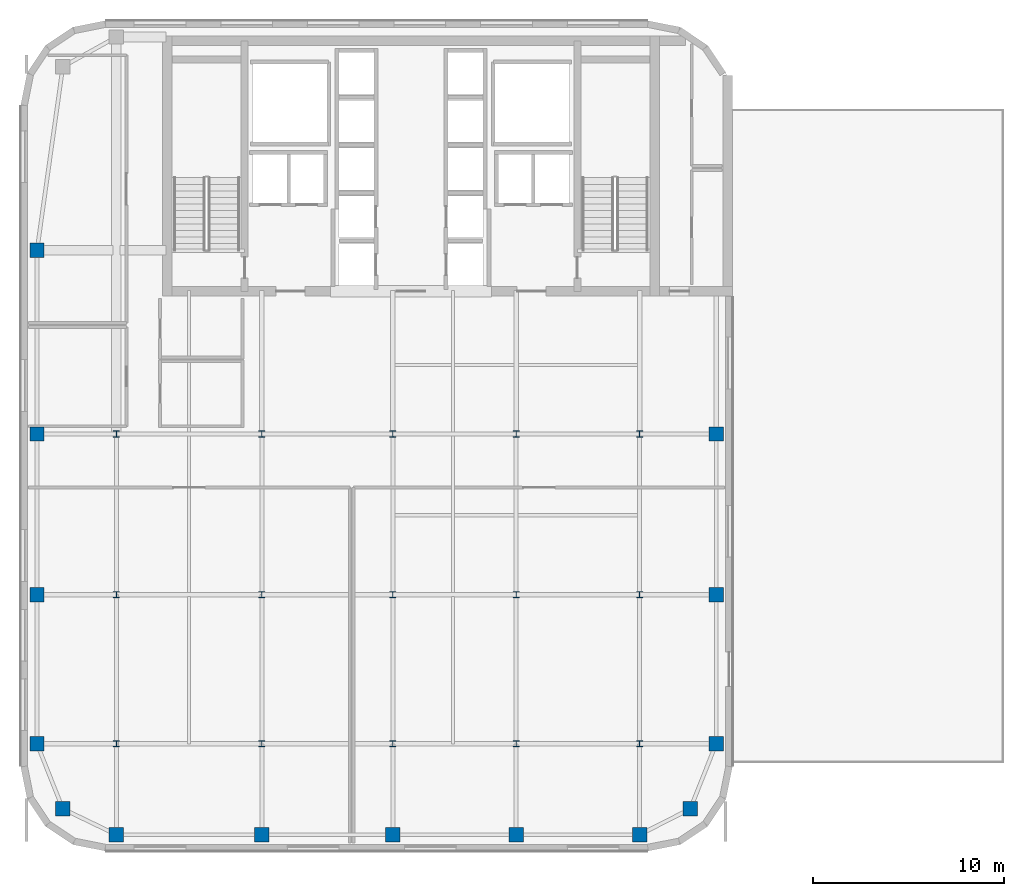
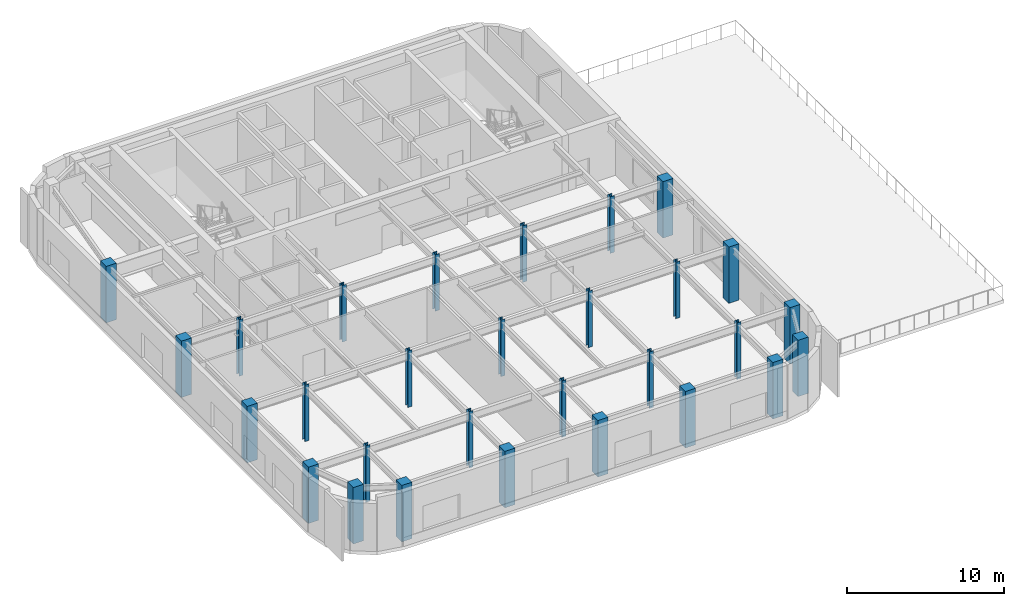
# One storey, part 1 of 10: 29 columns.
"""IFC4 building model written with IfcOpenShell, lengths in metres."""

from ifc_helpers import new_model, si_unit, direction, frame, origin, origin_2d, place, context, subcontext, project, spatial, rectangle, i_section, extrude, source, transform, mapped, material, material_profile, profile_set, type_object, type_shapes, element, save


model = new_model("IFC4")

# Units and contexts
model_context = context("Model", 3, precision=1e-05, world=origin(), true_north=direction((0.0, 1.0)))
body_context = subcontext(model_context, "Body", "Model", "MODEL_VIEW")
ifc_project = project(units=[si_unit("LENGTHUNIT", "METRE"), si_unit("AREAUNIT", "SQUARE_METRE"), si_unit("VOLUMEUNIT", "CUBIC_METRE"), si_unit("PLANEANGLEUNIT", "RADIAN"), si_unit("MASSUNIT", "GRAM", prefix="KILO")], contexts=[model_context])

# Site, building, storey
site_placement = place(None, origin())
site = spatial("IfcSite", under=ifc_project, at=site_placement, CompositionType="ELEMENT")
building_placement = place(site_placement, origin())
building = spatial("IfcBuilding", under=site, at=building_placement, Name="Tolvann Quenvar Hotel", CompositionType="ELEMENT")
storey_placement = place(building_placement, frame((0.0, 0.0, 205.300048828125)))
storey = spatial("IfcBuildingStorey", under=building, at=storey_placement, Name="L54", CompositionType="ELEMENT", Elevation=205.300048828125)

# Columns
ifc_material_1 = material(Name="Concrete N50 (50 MPa)", Category="concrete")
ifc_material_profile_1 = material_profile(ifc_material_1, rectangle(XDim=0.75, YDim=0.75, at=origin_2d()), Name="RC750x750")
ifc_profile_set_1 = profile_set([ifc_material_profile_1], Name="Concrete N50 (50 MPa)")
column_type_1 = type_object("IfcColumnType", Name="COL_RC750", PredefinedType="COLUMN", material=ifc_profile_set_1)
shared_shape_1 = source(origin(), body_context, "Body", "SweptSolid", [
    extrude(rectangle(XDim=0.75, YDim=0.75, at=origin_2d()), origin(), (0.0, 0.0, 1.0), 4.39990234375),
])
type_shapes(column_type_1, [shared_shape_1])
for number, where, z_axis, x_axis, name in (
    (1, (4.800048828125, 4.800048828125, 0.0), (0.0, 0.0, 1.0), (1.0, 0.0, 0.0), "Column B2 (L54)"),
    (2, (3.449951171875, 8.199951171875, 0.0), (0.0, 0.0, 1.0), (1.0, 0.0, 0.0), "Column B3 (L54)"),
    (3, (3.449951171875, 16.0, 0.0), (0.0, 0.0, 1.0), (1.0, 0.0, 0.0), "Column B4 (L54)"),
    (4, (3.449951171875, 24.39990234375, 0.0), (0.0, 0.0, 1.0), (1.0, 0.0, 0.0), "Column B5 (L54)"),
    (5, (7.60009765625, 3.449951171875, 0.0), (0.0, 0.0, 1.0), (1.0, 0.0, 0.0), "Column C2 (L54)"),
    (6, (15.199951171875, 3.449951171875, 0.0), (0.0, 0.0, 1.0), (1.0, 0.0, 0.0), "Column D2 (L54)"),
    (7, (22.050048828125, 3.449951171875, 0.0), (0.0, 0.0, 1.0), (1.0, 0.0, 0.0), "Column E2 (L54)"),
    (8, (28.5, 3.449951171875, 0.0), (0.0, 0.0, 1.0), (1.0, 0.0, 0.0), "Column M2 (L54)"),
    (9, (34.949951171875, 3.449951171875, 0.0), (0.0, 0.0, 1.0), (1.0, 0.0, 0.0), "Column F2 (L54)"),
    (10, (37.60009765625, 4.800048828125, 0.0), (0.0, 0.0, 1.0), (1.0, 0.0, 0.0), "Column G2 (L54)"),
    (11, (38.949951171875, 8.199951171875, 0.0), (0.0, 0.0, 1.0), (1.0, 0.0, 0.0), "Column G3 (L54)"),
    (12, (38.949951171875, 16.0, 0.0), (0.0, 0.0, 1.0), (1.0, 0.0, 0.0), "Column G4 (L54)"),
    (13, (38.949951171875, 24.39990234375, 0.0), (0.0, 0.0, 1.0), (1.0, 0.0, 0.0), "Column G5 (L54)"),
    (14, (3.449951171875, 34.0, 0.0), (0.0, 0.0, 1.0), (1.0, 0.0, 0.0), "Column BD6 (L54)"),
):
    element("IfcColumn", number, at=place(storey_placement, frame(where, z_axis=z_axis, x_axis=x_axis)), inside=storey, type_object=column_type_1, Name=name, PredefinedType="COLUMN", context=body_context, shape_type="MappedRepresentation", body=[
        mapped(shared_shape_1, transform((0.0, 0.0, 0.0), x_axis=(1.0, 0.0, 0.0), y_axis=(0.0, 1.0, 0.0), z_axis=(0.0, 0.0, 1.0), scale=1.0)),
    ])
ifc_material_2 = material(Name="Steel Grade 350", Category="steel")
ifc_material_profile_2 = material_profile(ifc_material_2, i_section(OverallWidth=0.31103515625, OverallDepth=0.326904296875, WebThickness=0.015625, FlangeThickness=0.02490234375, FilletRadius=0.0166015625, at=origin_2d()), Name="310UC158")
ifc_profile_set_2 = profile_set([ifc_material_profile_2], Name="Steel Grade 350")
column_type_2 = type_object("IfcColumnType", Name="COL_310UC158", PredefinedType="COLUMN", material=ifc_profile_set_2)
shared_shape_2 = source(origin(), body_context, "Body", "SweptSolid", [
    extrude(i_section(OverallWidth=0.31103515625, OverallDepth=0.326904296875, WebThickness=0.015625, FlangeThickness=0.02490234375, FilletRadius=0.0166015625, at=origin_2d()), origin(), (0.0, 0.0, 1.0), 4.39990234375),
])
type_shapes(column_type_2, [shared_shape_2])
for number, where, z_axis, x_axis, name in (
    (15, (7.60009765625, 8.199951171875, 0.0), (0.0, 0.0, 1.0), (1.0, 0.0, 0.0), "Column C3 (L54)"),
    (16, (7.60009765625, 16.0, 0.0), (0.0, 0.0, 1.0), (1.0, 0.0, 0.0), "Column C4 (L54)"),
    (17, (7.60009765625, 24.39990234375, 0.0), (0.0, 0.0, 1.0), (1.0, 0.0, 0.0), "Column C5 (L54)"),
    (18, (15.199951171875, 8.199951171875, 0.0), (0.0, 0.0, 1.0), (1.0, 0.0, 0.0), "Column D3 (L54)"),
    (19, (15.199951171875, 16.0, 0.0), (0.0, 0.0, 1.0), (1.0, 0.0, 0.0), "Column D4 (L54)"),
    (20, (15.199951171875, 24.39990234375, 0.0), (0.0, 0.0, 1.0), (1.0, 0.0, 0.0), "Column D5 (L54)"),
    (21, (22.050048828125, 8.199951171875, 0.0), (0.0, 0.0, 1.0), (1.0, 0.0, 0.0), "Column E3 (L54)"),
    (22, (22.050048828125, 16.0, 0.0), (0.0, 0.0, 1.0), (1.0, 0.0, 0.0), "Column E4 (L54)"),
    (23, (22.050048828125, 24.39990234375, 0.0), (0.0, 0.0, 1.0), (1.0, 0.0, 0.0), "Column E5 (L54)"),
    (24, (28.5, 8.199951171875, 0.0), (0.0, 0.0, 1.0), (1.0, 0.0, 0.0), "Column M3 (L54)"),
    (25, (28.5, 16.0, 0.0), (0.0, 0.0, 1.0), (1.0, 0.0, 0.0), "Column M4 (L54)"),
    (26, (28.5, 24.39990234375, 0.0), (0.0, 0.0, 1.0), (1.0, 0.0, 0.0), "Column M5 (L54)"),
    (27, (34.949951171875, 8.199951171875, 0.0), (0.0, 0.0, 1.0), (1.0, 0.0, 0.0), "Column F3 (L54)"),
    (28, (34.949951171875, 16.0, 0.0), (0.0, 0.0, 1.0), (1.0, 0.0, 0.0), "Column F4 (L54)"),
    (29, (34.949951171875, 24.39990234375, 0.0), (0.0, 0.0, 1.0), (1.0, 0.0, 0.0), "Column F5 (L54)"),
):
    element("IfcColumn", number, at=place(storey_placement, frame(where, z_axis=z_axis, x_axis=x_axis)), inside=storey, type_object=column_type_2, Name=name, PredefinedType="COLUMN", context=body_context, shape_type="MappedRepresentation", body=[
        mapped(shared_shape_2, transform((0.0, 0.0, 0.0), x_axis=(1.0, 0.0, 0.0), y_axis=(0.0, 1.0, 0.0), z_axis=(0.0, 0.0, 1.0), scale=1.0)),
    ])

save(model, "model.ifc")
